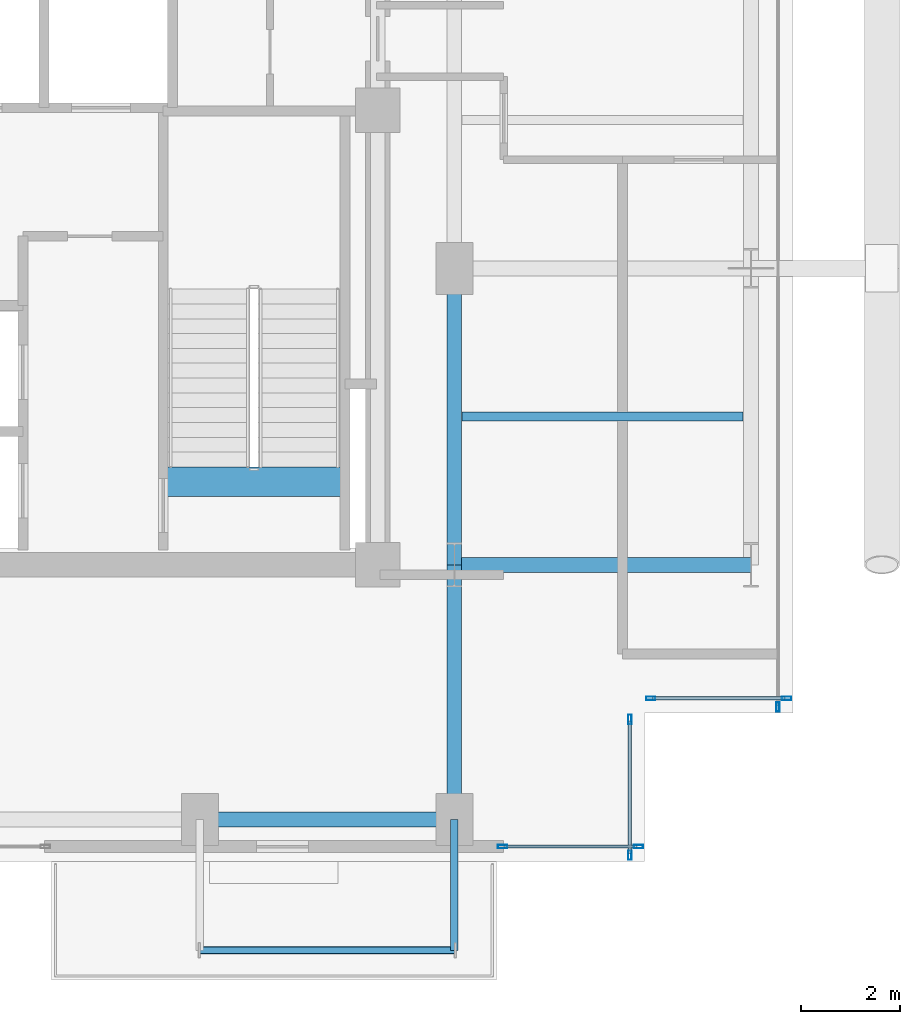
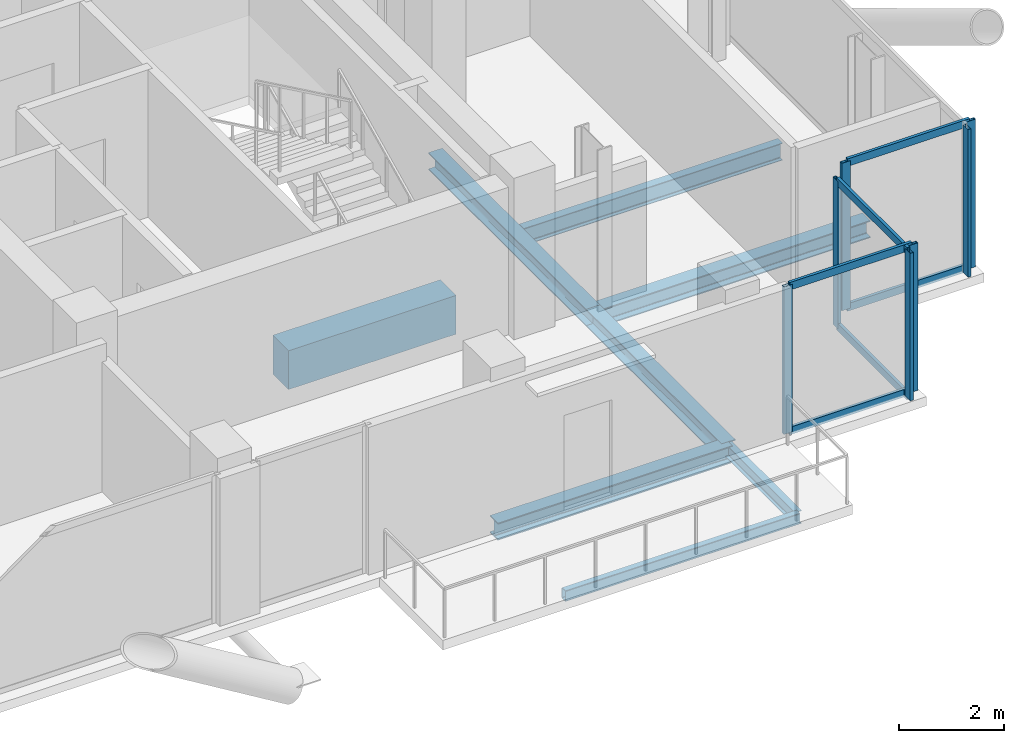
# One storey, part 11 of 25: 13 members, 8 beams, 4 elements without a shape of their own.
"""IFC4 building model written with IfcOpenShell, lengths in metres."""

from ifc_helpers import new_model, si_unit, direction, frame, origin, origin_2d, place, context, subcontext, project, spatial, rectangle, hollow_rectangle, i_section, extrude, material, layer, layer_set, material_profile, profile_set, type_object, element, aggregate, save


model = new_model("IFC4")

# Units and contexts
model_context = context("Model", 3, precision=1e-05, world=origin(), true_north=direction((0.0, 1.0)))
body_context = subcontext(model_context, "Body", "Model", "MODEL_VIEW")
ifc_project = project(units=[si_unit("LENGTHUNIT", "METRE"), si_unit("AREAUNIT", "SQUARE_METRE"), si_unit("VOLUMEUNIT", "CUBIC_METRE"), si_unit("PLANEANGLEUNIT", "RADIAN"), si_unit("MASSUNIT", "GRAM", prefix="KILO"), si_unit("THERMODYNAMICTEMPERATUREUNIT", "KELVIN"), si_unit("POWERUNIT", "WATT")], contexts=[model_context])

# Site, building, storey
site_placement = place(None, origin())
site = spatial("IfcSite", under=ifc_project, at=site_placement, CompositionType="ELEMENT")
building_placement = place(site_placement, origin())
building = spatial("IfcBuilding", under=site, at=building_placement, Name="Svarakhadi Broadcast Tower", CompositionType="ELEMENT")
storey_placement = place(building_placement, frame((0.0, 0.0, 231.14990234375)))
storey = spatial("IfcBuildingStorey", under=building, at=storey_placement, Name="L57", CompositionType="ELEMENT", Elevation=231.14990234375)

# Beam
ifc_material_1 = material(Name="Steel S355J2 (IS 2062 E350C)", Category="steel")
ifc_material_profile_1 = material_profile(ifc_material_1, i_section(OverallWidth=0.179931640625, OverallDepth=0.39990234375, WebThickness=0.008544921875, FlangeThickness=0.013427734375, FilletRadius=0.02099609375, at=origin_2d()), Name="NPB 400x180x66")
ifc_profile_set_1 = profile_set([ifc_material_profile_1], Name="Steel S355J2 (IS 2062 E350C)")
beam_type_1 = type_object("IfcBeamType", Name="Beam_NPB400", PredefinedType="BEAM", material=ifc_profile_set_1)
beam_1_placement = place(storey_placement, frame((35.31005859375, 9.0, -0.409912109375), z_axis=(1.0, 0.0, 0.0), x_axis=(0.0, 1.0, 0.0)))
element("IfcBeam", 1, at=beam_1_placement, inside=storey, type_object=beam_type_1, Name="L57 Secondary Composite Beam SB016", PredefinedType="BEAM", context=body_context, shape_type="SweptSolid", body=[
    extrude(i_section(OverallWidth=0.179931640625, OverallDepth=0.39990234375, WebThickness=0.008544921875, FlangeThickness=0.013427734375, FilletRadius=0.02099609375, at=origin_2d()), origin(), (0.0, 0.0, 1.0), 5.679931640625),
])

# Curtain wall, member
ifc_material_2 = material(Name="Anodised Bronze Aluminium AA 6063-T6", Category="aluminium")
ifc_layer = layer(ifc_material_2, 0.18994140625)
ifc_layer_set = layer_set([ifc_layer], Name="Anodised Bronze Aluminium AA 6063-T6")
curtain_wall_type = type_object("IfcCurtainWallType", Name="CW_Sys_04", PredefinedType="NOTDEFINED", material=ifc_layer_set)
curtain_wall_1_placement = place(storey_placement, origin())
curtain_wall_1 = element("IfcCurtainWall", 2, at=curtain_wall_1_placement, inside=storey, type_object=curtain_wall_type, Name="L57 Unitised Facade Curtain Wall 13", PredefinedType="NOTDEFINED")
ifc_material_profile_2 = material_profile(ifc_material_2, hollow_rectangle(XDim=0.070068359375, YDim=0.18994140625, WallThickness=0.005615234375, at=origin_2d()), Name="ALU MULLION 190x70x6")
ifc_profile_set_2 = profile_set([ifc_material_profile_2], Name="Anodised Bronze Aluminium AA 6063-T6")
member_type_1 = type_object("IfcMemberType", Name="CW_Sys_04_Mul", PredefinedType="MULLION", material=ifc_profile_set_2)
member_1_placement = place(storey_placement, frame((41.699951171875, 3.125, 0.0), z_axis=(0.0, 0.0, 1.0), x_axis=(1.0, 0.0, 0.0)))
member_1 = element("IfcMember", 3, at=member_1_placement, type_object=member_type_1, Name="CW-04 mullion 2", PredefinedType="MULLION", context=body_context, shape_type="SweptSolid", body=[
    extrude(hollow_rectangle(XDim=0.070068359375, YDim=0.18994140625, WallThickness=0.005615234375, at=origin_2d()), origin(), (0.0, 0.0, 1.0), 3.425048828125),
])
aggregate(curtain_wall_1, [member_1])

# Curtain wall, members
curtain_wall_2_placement = place(storey_placement, origin())
curtain_wall_2 = element("IfcCurtainWall", 4, at=curtain_wall_2_placement, inside=storey, type_object=curtain_wall_type, Name="L57 Unitised Facade Curtain Wall 14", PredefinedType="NOTDEFINED")
member_2_placement = place(storey_placement, frame((41.875, 3.300048828125, 0.0), z_axis=(0.0, 0.0, 1.0), x_axis=(0.0, -1.0, 0.0)))
member_2 = element("IfcMember", 5, at=member_2_placement, type_object=member_type_1, Name="CW-04 mullion 1", PredefinedType="MULLION", context=body_context, shape_type="SweptSolid", body=[
    extrude(hollow_rectangle(XDim=0.070068359375, YDim=0.18994140625, WallThickness=0.005615234375, at=origin_2d()), origin(), (0.0, 0.0, 1.0), 3.425048828125),
])
member_3_placement = place(storey_placement, frame((39.125, 3.300048828125, 0.0), z_axis=(0.0, 0.0, 1.0), x_axis=(0.0, -1.0, 0.0)))
member_3 = element("IfcMember", 6, at=member_3_placement, type_object=member_type_1, Name="CW-04 mullion 2", PredefinedType="MULLION", context=body_context, shape_type="SweptSolid", body=[
    extrude(hollow_rectangle(XDim=0.070068359375, YDim=0.18994140625, WallThickness=0.005615234375, at=origin_2d()), origin(), (0.0, 0.0, 1.0), 3.425048828125),
])

curtain_wall_3_placement = place(storey_placement, origin())
curtain_wall_3 = element("IfcCurtainWall", 7, at=curtain_wall_3_placement, inside=storey, type_object=curtain_wall_type, Name="L57 Unitised Facade Curtain Wall 15", PredefinedType="NOTDEFINED")
member_4_placement = place(storey_placement, frame((38.699951171875, 2.875, 0.0), z_axis=(0.0, 0.0, 1.0), x_axis=(1.0, 0.0, 0.0)))
member_4 = element("IfcMember", 8, at=member_4_placement, type_object=member_type_1, Name="CW-04 mullion 1", PredefinedType="MULLION", context=body_context, shape_type="SweptSolid", body=[
    extrude(hollow_rectangle(XDim=0.070068359375, YDim=0.18994140625, WallThickness=0.005615234375, at=origin_2d()), origin(), (0.0, 0.0, 1.0), 3.425048828125),
])
member_5_placement = place(storey_placement, frame((38.699951171875, 0.125, 0.0), z_axis=(0.0, 0.0, 1.0), x_axis=(1.0, 0.0, 0.0)))
member_5 = element("IfcMember", 9, at=member_5_placement, type_object=member_type_1, Name="CW-04 mullion 2", PredefinedType="MULLION", context=body_context, shape_type="SweptSolid", body=[
    extrude(hollow_rectangle(XDim=0.070068359375, YDim=0.18994140625, WallThickness=0.005615234375, at=origin_2d()), origin(), (0.0, 0.0, 1.0), 3.425048828125),
])

curtain_wall_4_placement = place(storey_placement, origin())
curtain_wall_4 = element("IfcCurtainWall", 10, at=curtain_wall_4_placement, inside=storey, type_object=curtain_wall_type, Name="L57 South Curtain Wall 16", PredefinedType="NOTDEFINED")
member_6_placement = place(storey_placement, frame((38.875, 0.300048828125, 0.0), z_axis=(0.0, 0.0, 1.0), x_axis=(0.0, -1.0, 0.0)))
member_6 = element("IfcMember", 11, at=member_6_placement, type_object=member_type_1, Name="CW-04 mullion 1", PredefinedType="MULLION", context=body_context, shape_type="SweptSolid", body=[
    extrude(hollow_rectangle(XDim=0.070068359375, YDim=0.18994140625, WallThickness=0.005615234375, at=origin_2d()), origin(), (0.0, 0.0, 1.0), 3.425048828125),
])
member_7_placement = place(storey_placement, frame((36.125, 0.300048828125, 0.0), z_axis=(0.0, 0.0, 1.0), x_axis=(0.0, -1.0, 0.0)))
member_7 = element("IfcMember", 12, at=member_7_placement, type_object=member_type_1, Name="CW-04 mullion 2", PredefinedType="MULLION", context=body_context, shape_type="SweptSolid", body=[
    extrude(hollow_rectangle(XDim=0.070068359375, YDim=0.18994140625, WallThickness=0.005615234375, at=origin_2d()), origin(), (0.0, 0.0, 1.0), 3.425048828125),
])

# Member
ifc_material_profile_3 = material_profile(ifc_material_2, hollow_rectangle(XDim=0.06494140625, YDim=0.175048828125, WallThickness=0.0048828125, at=origin_2d()), Name="ALU TRANSOM 175x65x5")
ifc_profile_set_3 = profile_set([ifc_material_profile_3], Name="Anodised Bronze Aluminium AA 6063-T6")
member_type_2 = type_object("IfcMemberType", Name="CW_Sys_04_Trn", PredefinedType="USERDEFINED", material=ifc_profile_set_3)
member_8_placement = place(storey_placement, frame((41.840087890625, 3.300048828125, 0.03271484375), z_axis=(-1.0, 0.0, 0.0), x_axis=(0.0, -1.0, 0.0)))
member_8 = element("IfcMember", 13, at=member_8_placement, type_object=member_type_2, Name="CW-04 transom 1.1", ObjectType="TRANSOM", PredefinedType="USERDEFINED", context=body_context, shape_type="SweptSolid", body=[
    extrude(hollow_rectangle(XDim=0.06494140625, YDim=0.175048828125, WallThickness=0.0048828125, at=origin_2d()), origin(), (0.0, 0.0, 1.0), 2.68017578125),
])

member_9_placement = place(storey_placement, frame((41.840087890625, 3.300048828125, 3.392578125), z_axis=(-1.0, 0.0, 0.0), x_axis=(0.0, -1.0, 0.0)))
member_9 = element("IfcMember", 14, at=member_9_placement, type_object=member_type_2, Name="CW-04 transom 1.2", ObjectType="TRANSOM", PredefinedType="USERDEFINED", context=body_context, shape_type="SweptSolid", body=[
    extrude(hollow_rectangle(XDim=0.06494140625, YDim=0.175048828125, WallThickness=0.0048828125, at=origin_2d()), origin(), (0.0, 0.0, 1.0), 2.68017578125),
])

aggregate(curtain_wall_2, [member_2, member_3, member_8, member_9])

member_10_placement = place(storey_placement, frame((38.699951171875, 2.840087890625, 0.03271484375), z_axis=(0.0, -1.0, 0.0), x_axis=(1.0, 0.0, 0.0)))
member_10 = element("IfcMember", 15, at=member_10_placement, type_object=member_type_2, Name="CW-04 transom 1.1", ObjectType="TRANSOM", PredefinedType="USERDEFINED", context=body_context, shape_type="SweptSolid", body=[
    extrude(hollow_rectangle(XDim=0.06494140625, YDim=0.175048828125, WallThickness=0.0048828125, at=origin_2d()), origin(), (0.0, 0.0, 1.0), 2.68017578125),
])

member_11_placement = place(storey_placement, frame((38.699951171875, 2.840087890625, 3.392578125), z_axis=(0.0, -1.0, 0.0), x_axis=(1.0, 0.0, 0.0)))
member_11 = element("IfcMember", 16, at=member_11_placement, type_object=member_type_2, Name="CW-04 transom 1.2", ObjectType="TRANSOM", PredefinedType="USERDEFINED", context=body_context, shape_type="SweptSolid", body=[
    extrude(hollow_rectangle(XDim=0.06494140625, YDim=0.175048828125, WallThickness=0.0048828125, at=origin_2d()), origin(), (0.0, 0.0, 1.0), 2.68017578125),
])

aggregate(curtain_wall_3, [member_4, member_5, member_10, member_11])

member_12_placement = place(storey_placement, frame((38.840087890625, 0.300048828125, 0.03271484375), z_axis=(-1.0, 0.0, 0.0), x_axis=(0.0, -1.0, 0.0)))
member_12 = element("IfcMember", 17, at=member_12_placement, type_object=member_type_2, Name="CW-04 transom 1.1", ObjectType="TRANSOM", PredefinedType="USERDEFINED", context=body_context, shape_type="SweptSolid", body=[
    extrude(hollow_rectangle(XDim=0.06494140625, YDim=0.175048828125, WallThickness=0.0048828125, at=origin_2d()), origin(), (0.0, 0.0, 1.0), 2.68017578125),
])

member_13_placement = place(storey_placement, frame((38.840087890625, 0.300048828125, 3.392578125), z_axis=(-1.0, 0.0, 0.0), x_axis=(0.0, -1.0, 0.0)))
member_13 = element("IfcMember", 18, at=member_13_placement, type_object=member_type_2, Name="CW-04 transom 1.2", ObjectType="TRANSOM", PredefinedType="USERDEFINED", context=body_context, shape_type="SweptSolid", body=[
    extrude(hollow_rectangle(XDim=0.06494140625, YDim=0.175048828125, WallThickness=0.0048828125, at=origin_2d()), origin(), (0.0, 0.0, 1.0), 2.68017578125),
])

aggregate(curtain_wall_4, [member_6, member_7, member_12, member_13])

# Beams
ifc_material_3 = material(Name="Concrete C50/60 (IS 456 M60)", Category="concrete")
ifc_material_profile_4 = material_profile(ifc_material_3, rectangle(XDim=0.60009765625, YDim=0.89990234375, at=origin_2d()), Name="RC 600x900")
ifc_profile_set_4 = profile_set([ifc_material_profile_4], Name="Concrete C50/60 (IS 456 M60)")
beam_type_2 = type_object("IfcBeamType", Name="Coupling_RC600", PredefinedType="USERDEFINED", material=ifc_profile_set_4)
beam_2_placement = place(storey_placement, frame((29.260009765625, 7.679931640625, -0.449951171875), z_axis=(1.0, 0.0, 0.0), x_axis=(0.0, 1.0, 0.0)))
element("IfcBeam", 19, at=beam_2_placement, inside=storey, type_object=beam_type_2, Name="L57 Stair ST-02 Landing Throat Trimmer Beam CB-01", ObjectType="GIRDER", PredefinedType="USERDEFINED", context=body_context, shape_type="SweptSolid", body=[
    extrude(rectangle(XDim=0.60009765625, YDim=0.89990234375, at=origin_2d()), origin(), (0.0, 0.0, 1.0), 3.679931640625),
])
ifc_material_profile_5 = material_profile(ifc_material_1, i_section(OverallWidth=0.300048828125, OverallDepth=0.39990234375, WebThickness=0.013427734375, FlangeThickness=0.02392578125, FilletRadius=0.027099609375, at=origin_2d()), Name="WPB 400x300x155")
ifc_profile_set_5 = profile_set([ifc_material_profile_5], Name="Steel S355J2 (IS 2062 E350C)")
beam_type_3 = type_object("IfcBeamType", Name="Girder_WPB400", PredefinedType="USERDEFINED", material=ifc_profile_set_5)
beam_3_placement = place(storey_placement, frame((30.0, 0.85009765625, -0.409912109375), z_axis=(1.0, 0.0, 0.0), x_axis=(0.0, 1.0, 0.0)))
element("IfcBeam", 20, at=beam_3_placement, inside=storey, type_object=beam_type_3, Name="L57 Primary E-W Girder G008", ObjectType="GIRDER", PredefinedType="USERDEFINED", context=body_context, shape_type="SweptSolid", body=[
    extrude(i_section(OverallWidth=0.300048828125, OverallDepth=0.39990234375, WebThickness=0.013427734375, FlangeThickness=0.02392578125, FilletRadius=0.027099609375, at=origin_2d()), origin(), (0.0, 0.0, 1.0), 5.14990234375),
])
beam_4_placement = place(storey_placement, frame((35.14990234375, 6.0, -0.409912109375), z_axis=(1.0, 0.0, 0.0), x_axis=(0.0, 1.0, 0.0)))
element("IfcBeam", 21, at=beam_4_placement, inside=storey, type_object=beam_type_3, Name="L57 Primary E-W Girder G014", ObjectType="GIRDER", PredefinedType="USERDEFINED", context=body_context, shape_type="SweptSolid", body=[
    extrude(i_section(OverallWidth=0.300048828125, OverallDepth=0.39990234375, WebThickness=0.013427734375, FlangeThickness=0.02392578125, FilletRadius=0.027099609375, at=origin_2d()), origin(), (0.0, 0.0, 1.0), 6.0),
])
beam_5_placement = place(storey_placement, frame((35.14990234375, 0.85009765625, -0.409912109375), z_axis=(0.0, 1.0, 0.0), x_axis=(-1.0, 0.0, 0.0)))
element("IfcBeam", 22, at=beam_5_placement, inside=storey, type_object=beam_type_3, Name="L57 Primary N-S Girder G056", ObjectType="GIRDER", PredefinedType="USERDEFINED", context=body_context, shape_type="SweptSolid", body=[
    extrude(i_section(OverallWidth=0.300048828125, OverallDepth=0.39990234375, WebThickness=0.013427734375, FlangeThickness=0.02392578125, FilletRadius=0.027099609375, at=origin_2d()), origin(), (0.0, 0.0, 1.0), 5.14990234375),
])
beam_6_placement = place(storey_placement, frame((35.14990234375, 6.0, -0.409912109375), z_axis=(0.0, 1.0, 0.0), x_axis=(-1.0, 0.0, 0.0)))
element("IfcBeam", 23, at=beam_6_placement, inside=storey, type_object=beam_type_3, Name="L57 Primary N-S Girder G057", ObjectType="GIRDER", PredefinedType="USERDEFINED", context=body_context, shape_type="SweptSolid", body=[
    extrude(i_section(OverallWidth=0.300048828125, OverallDepth=0.39990234375, WebThickness=0.013427734375, FlangeThickness=0.02392578125, FilletRadius=0.027099609375, at=origin_2d()), origin(), (0.0, 0.0, 1.0), 6.0),
])
ifc_material_profile_6 = material_profile(ifc_material_1, i_section(OverallWidth=0.14990234375, OverallDepth=0.300048828125, WebThickness=0.007080078125, FlangeThickness=0.0107421875, FilletRadius=0.014892578125, at=origin_2d()), Name="NPB 300x150x37")
ifc_profile_set_6 = profile_set([ifc_material_profile_6], Name="Steel S355J2 (IS 2062 E350C)")
beam_type_4 = type_object("IfcBeamType", Name="Spandrel_NPB300", PredefinedType="SPANDREL", material=ifc_profile_set_6)
beam_7_placement = place(storey_placement, frame((35.14990234375, 0.85009765625, -0.375), z_axis=(0.0, -1.0, 0.0), x_axis=(1.0, 0.0, 0.0)))
element("IfcBeam", 24, at=beam_7_placement, inside=storey, type_object=beam_type_4, Name="L57 Balcony Cantilever Bracket 1B", PredefinedType="SPANDREL", context=body_context, shape_type="SweptSolid", body=[
    extrude(i_section(OverallWidth=0.14990234375, OverallDepth=0.300048828125, WebThickness=0.007080078125, FlangeThickness=0.0107421875, FilletRadius=0.014892578125, at=origin_2d()), origin(), (0.0, 0.0, 1.0), 2.650146484375),
])
ifc_material_4 = material(Name="Steel S460ML (IS 2062 E450BR)", Category="steel")
ifc_material_profile_7 = material_profile(ifc_material_4, hollow_rectangle(XDim=0.14990234375, YDim=0.25, WallThickness=0.010009765625, InnerFilletRadius=0.010009765625, OuterFilletRadius=0.02001953125, at=origin_2d()), Name="RHS 250x150x10")
ifc_profile_set_7 = profile_set([ifc_material_profile_7], Name="Steel S460ML (IS 2062 E450BR)")
beam_type_5 = type_object("IfcBeamType", Name="Spandrel_RHS250", PredefinedType="SPANDREL", material=ifc_profile_set_7)
beam_8_placement = place(storey_placement, frame((30.0, -1.800048828125, -0.349853515625), z_axis=(1.0, 0.0, 0.0), x_axis=(0.0, 1.0, 0.0)))
element("IfcBeam", 25, at=beam_8_placement, inside=storey, type_object=beam_type_5, Name="L57 Balcony Outer Spandrel 1F", PredefinedType="SPANDREL", context=body_context, shape_type="SweptSolid", body=[
    extrude(hollow_rectangle(XDim=0.14990234375, YDim=0.25, WallThickness=0.010009765625, InnerFilletRadius=0.010009765625, OuterFilletRadius=0.02001953125, at=origin_2d()), origin(), (0.0, 0.0, 1.0), 5.14990234375),
])

save(model, "model.ifc")
